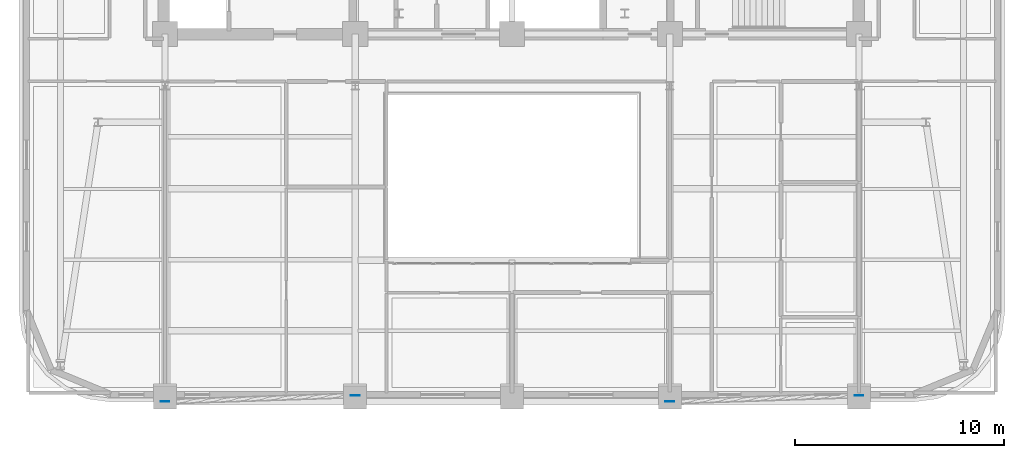
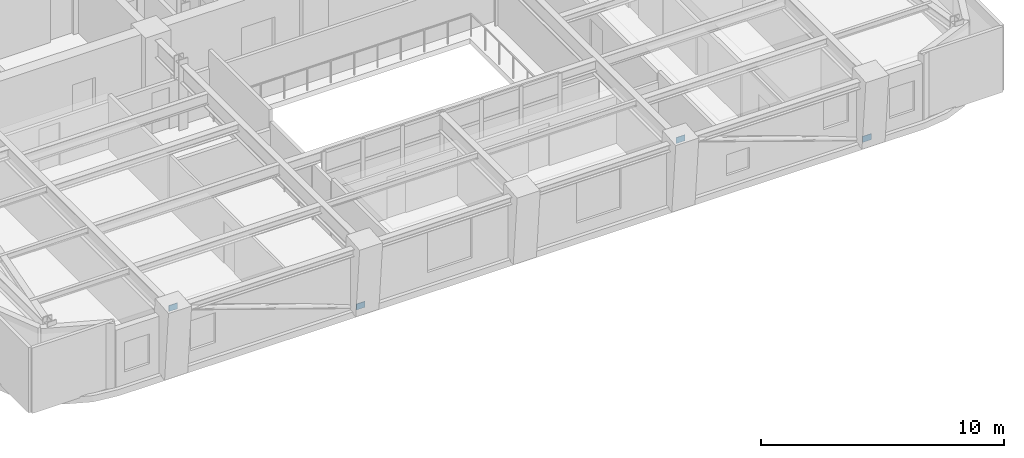
# One storey, part 5 of 12: 4 plates.
"""IFC4 building model written with IfcOpenShell, lengths in metres."""

import ifcopenshell
import ifcopenshell.guid

model = None  # the IFC model being written
_history = None  # IfcOwnerHistory: only IFC2X3 demands one
_inside = {}  # id of a spatial element -> (the spatial element, [elements in it])
_under = {}  # id of a project, library or spatial element -> (it, [spatial elements below it])
_declared = {}  # id of a project -> (the project, [libraries it declares])
_typed = {}  # id of a type object -> (the type object, [elements of that type])
_made_of = {}  # id of a material, layer set ... -> (it, [elements and type objects made of it])


def new_model(schema):
    """Start an empty IFC model of exactly this schema.

    Asked for "IFC4X3", IfcOpenShell would pick the latest addendum, in which some entities
    have other attributes; the version numbers below select the first issue.
    IFC2X3 requires an IfcOwnerHistory on every rooted entity: one is made here for all.
    """
    global model, _history
    if schema == "IFC4X3":
        model = ifcopenshell.file(schema_version=(4, 3, 0, 0))
    else:
        model = ifcopenshell.file(schema=schema)
    _inside.clear()
    _under.clear()
    _declared.clear()
    _typed.clear()
    _made_of.clear()
    _history = None
    if model.schema == "IFC2X3":
        org = make("IfcOrganization", Name="unknown")
        user = make(
            "IfcPersonAndOrganization",
            ThePerson=make("IfcPerson", FamilyName="unknown"),
            TheOrganization=org,
        )
        app = make(
            "IfcApplication",
            ApplicationDeveloper=org,
            Version="unknown",
            ApplicationFullName="unknown",
            ApplicationIdentifier="unknown",
        )
        _history = make(
            "IfcOwnerHistory",
            OwningUser=user,
            OwningApplication=app,
            ChangeAction="ADDED",
            CreationDate=0,
        )
    return model


def make(cls, **values):
    """One entity of the class cls with the attributes given. An attribute that is None is left unset."""
    return model.create_entity(
        cls, **{name: value for name, value in values.items() if value is not None}
    )


def rooted(cls, **values):
    """An entity with a GlobalId (a new one), such as an element, a storey or a relation."""
    return make(cls, GlobalId=ifcopenshell.guid.new(), OwnerHistory=_history, **values)


def si_unit(unit_type, name, prefix=None):
    """IfcSIUnit, for example si_unit("LENGTHUNIT", "METRE", prefix="MILLI")."""
    return make("IfcSIUnit", UnitType=unit_type, Prefix=prefix, Name=name)


def assignment(units):
    """IfcUnitAssignment: the units of a project."""
    return None if units is None else make("IfcUnitAssignment", Units=units)


def point(xyz):
    """IfcCartesianPoint."""
    return None if xyz is None else make("IfcCartesianPoint", Coordinates=xyz)


def direction(xyz):
    """IfcDirection."""
    return None if xyz is None else make("IfcDirection", DirectionRatios=xyz)


def frame(location, z_axis=None, x_axis=None):
    """IfcAxis2Placement3D, a coordinate frame: its origin and axes. An axis left out is left unset."""
    return make(
        "IfcAxis2Placement3D",
        Location=point(location),
        Axis=direction(z_axis),
        RefDirection=direction(x_axis),
    )


def frame_2d(location, x_axis=None):
    """IfcAxis2Placement2D, a coordinate frame in the plane: its origin and x axis."""
    return make(
        "IfcAxis2Placement2D", Location=point(location), RefDirection=direction(x_axis)
    )


def origin():
    """The frame at (0, 0, 0) with its axes left unset."""
    return frame((0.0, 0.0, 0.0))


def origin_2d():
    """The frame at (0, 0) in the plane with its x axis left unset."""
    return frame_2d((0.0, 0.0))


def place(relative_to, where):
    """IfcLocalPlacement: puts the frame where relative to a parent placement (None: the world)."""
    return make(
        "IfcLocalPlacement", PlacementRelTo=relative_to, RelativePlacement=where
    )


def context(
    kind, dimensions, precision=None, world=None, true_north=None, identifier=None
):
    """IfcGeometricRepresentationContext, for example the 3D "Model" context."""
    return make(
        "IfcGeometricRepresentationContext",
        ContextIdentifier=identifier,
        ContextType=kind,
        CoordinateSpaceDimension=dimensions,
        Precision=precision,
        WorldCoordinateSystem=world,
        TrueNorth=true_north,
    )


def subcontext(parent, identifier, kind, view, scale=None):
    """IfcGeometricRepresentationSubContext, for example "Body" below "Model"."""
    return make(
        "IfcGeometricRepresentationSubContext",
        ContextIdentifier=identifier,
        ContextType=kind,
        ParentContext=parent,
        TargetScale=scale,
        TargetView=view,
    )


def project(units=None, contexts=None):
    """IfcProject with its units and contexts."""
    return rooted(
        "IfcProject",
        Name="project",
        RepresentationContexts=contexts,
        UnitsInContext=assignment(units),
    )


def spatial(cls, under=None, at=None, **own):
    """A site, building, storey or space (cls), placed at a placement, below another one or the project."""
    s = rooted(cls, ObjectPlacement=at, **own)
    if under is not None:
        _under.setdefault(under.id(), (under, []))[1].append(s)
    return s


def profile(cls, at=None, kind="AREA", **sizes):
    """A parametric profile (cls). Its sizes go by their IFC names, for example OverallWidth=200.0."""
    return make(cls, ProfileType=kind, Position=at, **sizes)


def rectangle(**sizes):
    """IfcRectangleProfileDef."""
    return profile("IfcRectangleProfileDef", **sizes)


def extrude(swept, where, along, depth):
    """IfcExtrudedAreaSolid: the profile swept, set in the frame where, extruded along a direction by depth."""
    return make(
        "IfcExtrudedAreaSolid",
        SweptArea=swept,
        Position=where,
        ExtrudedDirection=direction(along),
        Depth=depth,
    )


def shape(context_of_items, identifier, shape_type, items):
    """IfcShapeRepresentation: the items that make up one representation, for example the "Body"."""
    return make(
        "IfcShapeRepresentation",
        ContextOfItems=context_of_items,
        RepresentationIdentifier=identifier,
        RepresentationType=shape_type,
        Items=items,
    )


def material(Name=None, Category=None):
    """IfcMaterial."""
    return make("IfcMaterial", Name=Name, Category=Category)


def layer(
    of_material, thickness, ventilated=None, Name=None, Category=None, Priority=None
):
    """IfcMaterialLayer: one layer of a wall or slab, of a material (None: an air gap)."""
    return make(
        "IfcMaterialLayer",
        Material=of_material,
        LayerThickness=thickness,
        IsVentilated=ventilated,
        Name=Name,
        Category=Category,
        Priority=Priority,
    )


def layer_set(layers, Name=None):
    """IfcMaterialLayerSet."""
    return make("IfcMaterialLayerSet", MaterialLayers=layers, LayerSetName=Name)


def made_of(thing, what):
    """Note that an element or type object is made of a material, layer set ...; save() writes the relation."""
    if what is not None:
        _made_of.setdefault(what.id(), (what, []))[1].append(thing)
    return thing


def type_object(cls, material=None, **own):
    """A type object (cls), such as IfcWallType, which elements share."""
    return made_of(rooted(cls, **own), material)


def element(
    cls,
    number,
    at=None,
    inside=None,
    cuts=None,
    type_object=None,
    material=None,
    context=None,
    identifier="Body",
    shape_type=None,
    held_by="IfcProductDefinitionShape",
    body=None,
    shapes=None,
    **own,
):
    """One element of the class cls, such as IfcWall. Its Tag is "e" and its number.

    at: its placement. inside: the storey or other place that contains it. cuts: it is an
    opening in that element (IfcRelVoidsElement). A single representation is given by context,
    identifier, shape_type and body (its items); several are given by shapes. held_by: the class
    of the entity that holds the representations. save() writes the other relations.
    """
    e = rooted(cls, Tag="e%d" % number, ObjectPlacement=at, **own)
    if body is not None:
        shapes = [shape(context, identifier, shape_type, body)]
    if shapes is not None:
        e.Representation = make(held_by, Representations=shapes)
    if inside is not None:
        _inside.setdefault(inside.id(), (inside, []))[1].append(e)
    if cuts is not None:
        rooted(
            "IfcRelVoidsElement", RelatingBuildingElement=cuts, RelatedOpeningElement=e
        )
    if type_object is not None:
        _typed.setdefault(type_object.id(), (type_object, []))[1].append(e)
    return made_of(e, material)


def aggregate(whole, parts):
    """IfcRelAggregates: a whole, such as a stair, and the parts it consists of."""
    return rooted("IfcRelAggregates", RelatingObject=whole, RelatedObjects=parts)


def save(model, path):
    """Write the relations noted so far, then the file.

    IfcRelAggregates (storeys below a building ...), IfcRelContainedInSpatialStructure (elements
    in a storey), IfcRelDefinesByType, IfcRelAssociatesMaterial and IfcRelDeclares: one each for
    every whole, place, type object, material and project.
    """
    for whole, parts in _under.values():
        aggregate(whole, parts)
    for where, things in _inside.values():
        rooted(
            "IfcRelContainedInSpatialStructure",
            RelatedElements=things,
            RelatingStructure=where,
        )
    for kind, things in _typed.values():
        rooted("IfcRelDefinesByType", RelatedObjects=things, RelatingType=kind)
    for what, things in _made_of.values():
        rooted("IfcRelAssociatesMaterial", RelatedObjects=things, RelatingMaterial=what)
    for by, libraries in _declared.values():
        rooted("IfcRelDeclares", RelatingContext=by, RelatedDefinitions=libraries)
    model.write(path)


model = new_model("IFC4")

# Units and contexts
model_context = context("Model", 3, precision=1e-05, world=origin(), true_north=direction((0.0, 1.0)))
body_context = subcontext(model_context, "Body", "Model", "MODEL_VIEW")
ifc_project = project(units=[si_unit("LENGTHUNIT", "METRE"), si_unit("AREAUNIT", "SQUARE_METRE"), si_unit("VOLUMEUNIT", "CUBIC_METRE"), si_unit("PLANEANGLEUNIT", "RADIAN"), si_unit("MASSUNIT", "GRAM", prefix="KILO")], contexts=[model_context])

# Site, building, storey
site_placement = place(None, origin())
site = spatial("IfcSite", under=ifc_project, at=site_placement, CompositionType="ELEMENT")
building_placement = place(site_placement, origin())
building = spatial("IfcBuilding", under=site, at=building_placement, Name="Zarnavel Station Tower", CompositionType="ELEMENT")
storey_placement = place(building_placement, frame((0.0, 0.0, 173.199951171875)))
storey = spatial("IfcBuildingStorey", under=building, at=storey_placement, Name="L47", CompositionType="ELEMENT", Elevation=173.199951171875)

# Plates
ifc_material = material(Name="Steel S460M", Category="steel")
ifc_layer = layer(ifc_material, 0.02490234375)
ifc_layer_set = layer_set([ifc_layer], Name="GP_GUSSET_25")
plate_type = type_object("IfcPlateType", Name="GP_GUSSET_25", PredefinedType="USERDEFINED", material=ifc_layer_set)
for number, where, z_axis, x_axis, name in (
    (1, (21.300048828125, 10.53271484375, -0.14990234375), (0.0, 0.0, 1.0), (1.0, 0.0, 0.0), "L47 Exterior Diagonal Brace End Gusset 1-1"),
    (2, (12.199951171875, 10.234619140625, 3.14013671875), (0.0, 0.0, 1.0), (1.0, 0.0, 0.0), "L47 Exterior Diagonal Brace End Gusset 1-2"),
    (3, (45.39990234375, 10.53271484375, -0.14990234375), (0.0, 0.0, 1.0), (1.0, 0.0, 0.0), "L47 Exterior Diagonal Brace End Gusset 2-1"),
    (4, (36.35009765625, 10.234619140625, 3.14013671875), (0.0, 0.0, 1.0), (1.0, 0.0, 0.0), "L47 Exterior Diagonal Brace End Gusset 2-2"),
):
    element("IfcPlate", number, at=place(storey_placement, frame(where, z_axis=z_axis, x_axis=x_axis)), inside=storey, type_object=plate_type, Name=name, ObjectType="GUSSET_PLATE", PredefinedType="USERDEFINED", context=body_context, shape_type="SweptSolid", body=[
        extrude(rectangle(XDim=0.419921875, YDim=0.02490234375, at=origin_2d()), origin(), (0.0, 0.0, 1.0), 0.300048828125),
    ])

save(model, "model.ifc")
